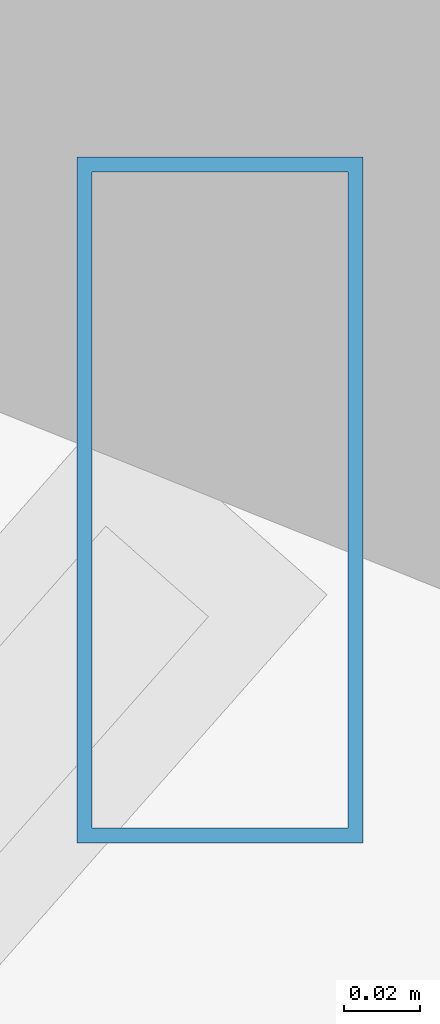
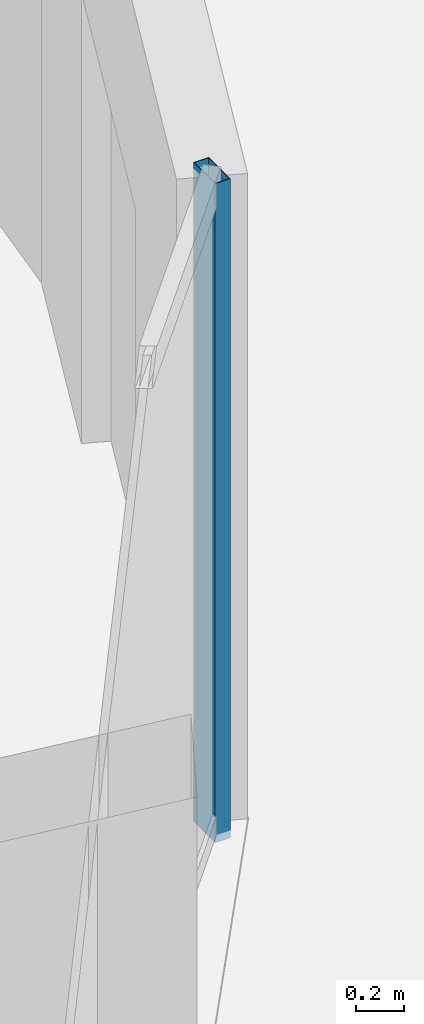
# One storey, part 13 of 30: 1 member, 1 element without a shape of its own.
"""IFC4 building model written with IfcOpenShell, lengths in metres."""

import ifcopenshell
import ifcopenshell.guid

model = None  # the IFC model being written
_history = None  # IfcOwnerHistory: only IFC2X3 demands one
_inside = {}  # id of a spatial element -> (the spatial element, [elements in it])
_under = {}  # id of a project, library or spatial element -> (it, [spatial elements below it])
_declared = {}  # id of a project -> (the project, [libraries it declares])
_typed = {}  # id of a type object -> (the type object, [elements of that type])
_made_of = {}  # id of a material, layer set ... -> (it, [elements and type objects made of it])


def new_model(schema):
    """Start an empty IFC model of exactly this schema.

    Asked for "IFC4X3", IfcOpenShell would pick the latest addendum, in which some entities
    have other attributes; the version numbers below select the first issue.
    IFC2X3 requires an IfcOwnerHistory on every rooted entity: one is made here for all.
    """
    global model, _history
    if schema == "IFC4X3":
        model = ifcopenshell.file(schema_version=(4, 3, 0, 0))
    else:
        model = ifcopenshell.file(schema=schema)
    _inside.clear()
    _under.clear()
    _declared.clear()
    _typed.clear()
    _made_of.clear()
    _history = None
    if model.schema == "IFC2X3":
        org = make("IfcOrganization", Name="unknown")
        user = make(
            "IfcPersonAndOrganization",
            ThePerson=make("IfcPerson", FamilyName="unknown"),
            TheOrganization=org,
        )
        app = make(
            "IfcApplication",
            ApplicationDeveloper=org,
            Version="unknown",
            ApplicationFullName="unknown",
            ApplicationIdentifier="unknown",
        )
        _history = make(
            "IfcOwnerHistory",
            OwningUser=user,
            OwningApplication=app,
            ChangeAction="ADDED",
            CreationDate=0,
        )
    return model


def make(cls, **values):
    """One entity of the class cls with the attributes given. An attribute that is None is left unset."""
    return model.create_entity(
        cls, **{name: value for name, value in values.items() if value is not None}
    )


def rooted(cls, **values):
    """An entity with a GlobalId (a new one), such as an element, a storey or a relation."""
    return make(cls, GlobalId=ifcopenshell.guid.new(), OwnerHistory=_history, **values)


def si_unit(unit_type, name, prefix=None):
    """IfcSIUnit, for example si_unit("LENGTHUNIT", "METRE", prefix="MILLI")."""
    return make("IfcSIUnit", UnitType=unit_type, Prefix=prefix, Name=name)


def assignment(units):
    """IfcUnitAssignment: the units of a project."""
    return None if units is None else make("IfcUnitAssignment", Units=units)


def point(xyz):
    """IfcCartesianPoint."""
    return None if xyz is None else make("IfcCartesianPoint", Coordinates=xyz)


def direction(xyz):
    """IfcDirection."""
    return None if xyz is None else make("IfcDirection", DirectionRatios=xyz)


def frame(location, z_axis=None, x_axis=None):
    """IfcAxis2Placement3D, a coordinate frame: its origin and axes. An axis left out is left unset."""
    return make(
        "IfcAxis2Placement3D",
        Location=point(location),
        Axis=direction(z_axis),
        RefDirection=direction(x_axis),
    )


def frame_2d(location, x_axis=None):
    """IfcAxis2Placement2D, a coordinate frame in the plane: its origin and x axis."""
    return make(
        "IfcAxis2Placement2D", Location=point(location), RefDirection=direction(x_axis)
    )


def origin():
    """The frame at (0, 0, 0) with its axes left unset."""
    return frame((0.0, 0.0, 0.0))


def origin_2d():
    """The frame at (0, 0) in the plane with its x axis left unset."""
    return frame_2d((0.0, 0.0))


def place(relative_to, where):
    """IfcLocalPlacement: puts the frame where relative to a parent placement (None: the world)."""
    return make(
        "IfcLocalPlacement", PlacementRelTo=relative_to, RelativePlacement=where
    )


def context(
    kind, dimensions, precision=None, world=None, true_north=None, identifier=None
):
    """IfcGeometricRepresentationContext, for example the 3D "Model" context."""
    return make(
        "IfcGeometricRepresentationContext",
        ContextIdentifier=identifier,
        ContextType=kind,
        CoordinateSpaceDimension=dimensions,
        Precision=precision,
        WorldCoordinateSystem=world,
        TrueNorth=true_north,
    )


def subcontext(parent, identifier, kind, view, scale=None):
    """IfcGeometricRepresentationSubContext, for example "Body" below "Model"."""
    return make(
        "IfcGeometricRepresentationSubContext",
        ContextIdentifier=identifier,
        ContextType=kind,
        ParentContext=parent,
        TargetScale=scale,
        TargetView=view,
    )


def project(units=None, contexts=None):
    """IfcProject with its units and contexts."""
    return rooted(
        "IfcProject",
        Name="project",
        RepresentationContexts=contexts,
        UnitsInContext=assignment(units),
    )


def spatial(cls, under=None, at=None, **own):
    """A site, building, storey or space (cls), placed at a placement, below another one or the project."""
    s = rooted(cls, ObjectPlacement=at, **own)
    if under is not None:
        _under.setdefault(under.id(), (under, []))[1].append(s)
    return s


def profile(cls, at=None, kind="AREA", **sizes):
    """A parametric profile (cls). Its sizes go by their IFC names, for example OverallWidth=200.0."""
    return make(cls, ProfileType=kind, Position=at, **sizes)


def hollow_rectangle(**sizes):
    """IfcRectangleHollowProfileDef."""
    return profile("IfcRectangleHollowProfileDef", **sizes)


def extrude(swept, where, along, depth):
    """IfcExtrudedAreaSolid: the profile swept, set in the frame where, extruded along a direction by depth."""
    return make(
        "IfcExtrudedAreaSolid",
        SweptArea=swept,
        Position=where,
        ExtrudedDirection=direction(along),
        Depth=depth,
    )


def shape(context_of_items, identifier, shape_type, items):
    """IfcShapeRepresentation: the items that make up one representation, for example the "Body"."""
    return make(
        "IfcShapeRepresentation",
        ContextOfItems=context_of_items,
        RepresentationIdentifier=identifier,
        RepresentationType=shape_type,
        Items=items,
    )


def material(Name=None, Category=None):
    """IfcMaterial."""
    return make("IfcMaterial", Name=Name, Category=Category)


def material_profile(
    of_material, cross_section, Name=None, Category=None, Priority=None
):
    """IfcMaterialProfile: a cross section and its material."""
    return make(
        "IfcMaterialProfile",
        Name=Name,
        Material=of_material,
        Profile=cross_section,
        Priority=Priority,
        Category=Category,
    )


def profile_set(profiles, Name=None, composite=None):
    """IfcMaterialProfileSet."""
    return make(
        "IfcMaterialProfileSet",
        Name=Name,
        MaterialProfiles=profiles,
        CompositeProfile=composite,
    )


def made_of(thing, what):
    """Note that an element or type object is made of a material, layer set ...; save() writes the relation."""
    if what is not None:
        _made_of.setdefault(what.id(), (what, []))[1].append(thing)
    return thing


def type_object(cls, material=None, **own):
    """A type object (cls), such as IfcWallType, which elements share."""
    return made_of(rooted(cls, **own), material)


def element(
    cls,
    number,
    at=None,
    inside=None,
    cuts=None,
    type_object=None,
    material=None,
    context=None,
    identifier="Body",
    shape_type=None,
    held_by="IfcProductDefinitionShape",
    body=None,
    shapes=None,
    **own,
):
    """One element of the class cls, such as IfcWall. Its Tag is "e" and its number.

    at: its placement. inside: the storey or other place that contains it. cuts: it is an
    opening in that element (IfcRelVoidsElement). A single representation is given by context,
    identifier, shape_type and body (its items); several are given by shapes. held_by: the class
    of the entity that holds the representations. save() writes the other relations.
    """
    e = rooted(cls, Tag="e%d" % number, ObjectPlacement=at, **own)
    if body is not None:
        shapes = [shape(context, identifier, shape_type, body)]
    if shapes is not None:
        e.Representation = make(held_by, Representations=shapes)
    if inside is not None:
        _inside.setdefault(inside.id(), (inside, []))[1].append(e)
    if cuts is not None:
        rooted(
            "IfcRelVoidsElement", RelatingBuildingElement=cuts, RelatedOpeningElement=e
        )
    if type_object is not None:
        _typed.setdefault(type_object.id(), (type_object, []))[1].append(e)
    return made_of(e, material)


def aggregate(whole, parts):
    """IfcRelAggregates: a whole, such as a stair, and the parts it consists of."""
    return rooted("IfcRelAggregates", RelatingObject=whole, RelatedObjects=parts)


def save(model, path):
    """Write the relations noted so far, then the file.

    IfcRelAggregates (storeys below a building ...), IfcRelContainedInSpatialStructure (elements
    in a storey), IfcRelDefinesByType, IfcRelAssociatesMaterial and IfcRelDeclares: one each for
    every whole, place, type object, material and project.
    """
    for whole, parts in _under.values():
        aggregate(whole, parts)
    for where, things in _inside.values():
        rooted(
            "IfcRelContainedInSpatialStructure",
            RelatedElements=things,
            RelatingStructure=where,
        )
    for kind, things in _typed.values():
        rooted("IfcRelDefinesByType", RelatedObjects=things, RelatingType=kind)
    for what, things in _made_of.values():
        rooted("IfcRelAssociatesMaterial", RelatedObjects=things, RelatingMaterial=what)
    for by, libraries in _declared.values():
        rooted("IfcRelDeclares", RelatingContext=by, RelatedDefinitions=libraries)
    model.write(path)


model = new_model("IFC4")

# Units and contexts
model_context = context("Model", 3, precision=1e-05, world=origin(), true_north=direction((0.0, 1.0)))
body_context = subcontext(model_context, "Body", "Model", "MODEL_VIEW")
ifc_project = project(units=[si_unit("LENGTHUNIT", "METRE"), si_unit("AREAUNIT", "SQUARE_METRE"), si_unit("VOLUMEUNIT", "CUBIC_METRE"), si_unit("PLANEANGLEUNIT", "RADIAN"), si_unit("MASSUNIT", "GRAM", prefix="KILO")], contexts=[model_context])

# Site, building, storey
site_placement = place(None, origin())
site = spatial("IfcSite", under=ifc_project, at=site_placement, CompositionType="ELEMENT")
building_placement = place(site_placement, origin())
building = spatial("IfcBuilding", under=site, at=building_placement, Name="Vorneva Point Tower", CompositionType="ELEMENT")
storey_placement = place(building_placement, frame((0.0, 0.0, 237.800048828125)))
storey = spatial("IfcBuildingStorey", under=building, at=storey_placement, Name="L64", CompositionType="ELEMENT", Elevation=237.800048828125)

# Curtain wall, member
ifc_material = material(Name="Pale anodised aluminium", Category="aluminium")
curtain_wall_type = type_object("IfcCurtainWallType", Name="CW-RES-SYS", PredefinedType="NOTDEFINED", material=ifc_material)
curtain_wall_placement = place(storey_placement, origin())
curtain_wall = element("IfcCurtainWall", 1, at=curtain_wall_placement, inside=storey, type_object=curtain_wall_type, Name="L64 Unitised Curtain Wall CW-L64-R04", PredefinedType="NOTDEFINED")
ifc_material_profile = material_profile(ifc_material, hollow_rectangle(XDim=0.074951171875, YDim=0.179931640625, WallThickness=0.00390625, at=origin_2d()), Name="AL-MUL 180x75x4")
ifc_profile_set = profile_set([ifc_material_profile], Name="Pale anodised aluminium")
member_type = type_object("IfcMemberType", Name="CW-MUL-180", PredefinedType="MULLION", material=ifc_profile_set)
member_placement = place(storey_placement, frame((62.20556640625, 18.4189453125, -0.0400390625), z_axis=(0.0, 0.0, 1.0), x_axis=(1.0, 0.0, 0.0)))
member = element("IfcMember", 2, at=member_placement, type_object=member_type, Name="CW-L64-R04 Mullion 06", PredefinedType="MULLION", context=body_context, shape_type="SweptSolid", body=[
    extrude(hollow_rectangle(XDim=0.074951171875, YDim=0.179931640625, WallThickness=0.00390625, at=origin_2d()), origin(), (0.0, 0.0, 1.0), 3.360107421875),
])
aggregate(curtain_wall, [member])

save(model, "model.ifc")
